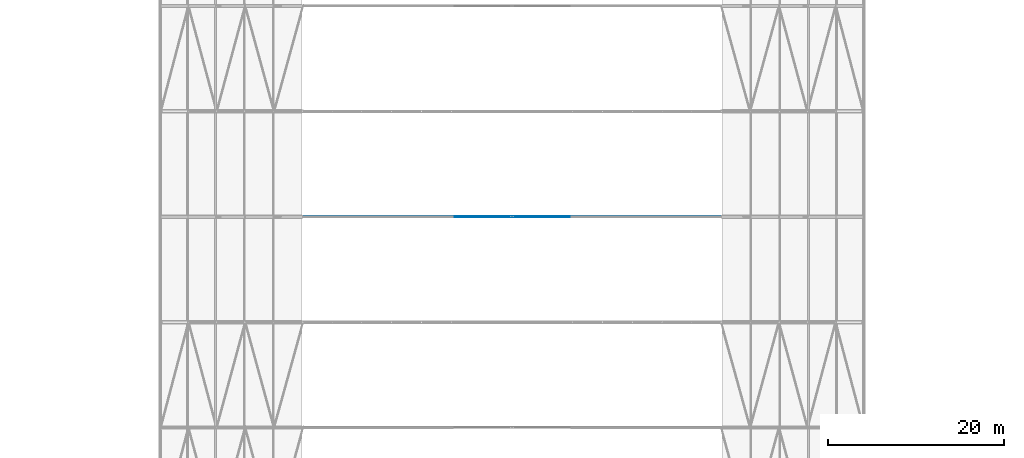
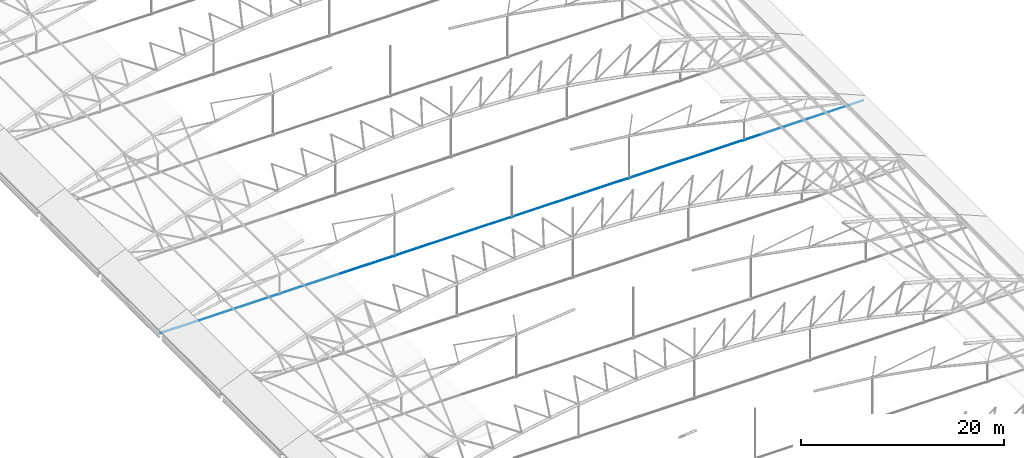
# One storey, part 90 of 321: 1 member.
"""IFC4 building model written with IfcOpenShell, lengths in metres."""

from ifc_helpers import new_model, si_unit, direction, frame, origin, origin_2d, place, context, subcontext, project, spatial, circle, extrude, material, material_profile, profile_set, type_object, element, save


model = new_model("IFC4")

# Units and contexts
model_context = context("Model", 3, precision=1e-05, world=origin(), true_north=direction((0.0, 1.0)))
body_context = subcontext(model_context, "Body", "Model", "MODEL_VIEW")
ifc_project = project(units=[si_unit("LENGTHUNIT", "METRE"), si_unit("AREAUNIT", "SQUARE_METRE"), si_unit("VOLUMEUNIT", "CUBIC_METRE"), si_unit("PLANEANGLEUNIT", "RADIAN"), si_unit("MASSUNIT", "GRAM", prefix="KILO")], contexts=[model_context])

# Site, building, storey
site_placement = place(None, origin())
site = spatial("IfcSite", under=ifc_project, at=site_placement, CompositionType="ELEMENT")
building_placement = place(site_placement, origin())
building = spatial("IfcBuilding", under=site, at=building_placement, Name="Ravi Spectrum Wholesale Market", CompositionType="ELEMENT")
storey_placement = place(building_placement, frame((0.0, 0.0, 10.800048828125)))
storey = spatial("IfcBuildingStorey", under=building, at=storey_placement, Name="L02", CompositionType="ELEMENT", Elevation=10.800048828125)

# Member
ifc_material = material(Name="Steel S460", Category="steel")
ifc_material_profile = material_profile(ifc_material, circle(Radius=0.034912109375, at=origin_2d()))
ifc_profile_set = profile_set([ifc_material_profile], Name="Steel S460")
member_type = type_object("IfcMemberType", Name="ROD 70 tie", PredefinedType="BRACE", material=ifc_profile_set)
member_placement = place(storey_placement, frame((29.98974609375, 138.0, 0.023193359375), z_axis=(1.0, 0.0, 0.0), x_axis=(0.0, 1.0, 0.0)))
element("IfcMember", 1, at=member_placement, inside=storey, type_object=member_type, Name="H1-MB-L02-805", PredefinedType="BRACE", context=body_context, shape_type="SweptSolid", body=[
    extrude(circle(Radius=0.034912109375, at=origin_2d()), origin(), (0.0, 0.0, 1.0), 80.0205078125),
])

save(model, "model.ifc")
